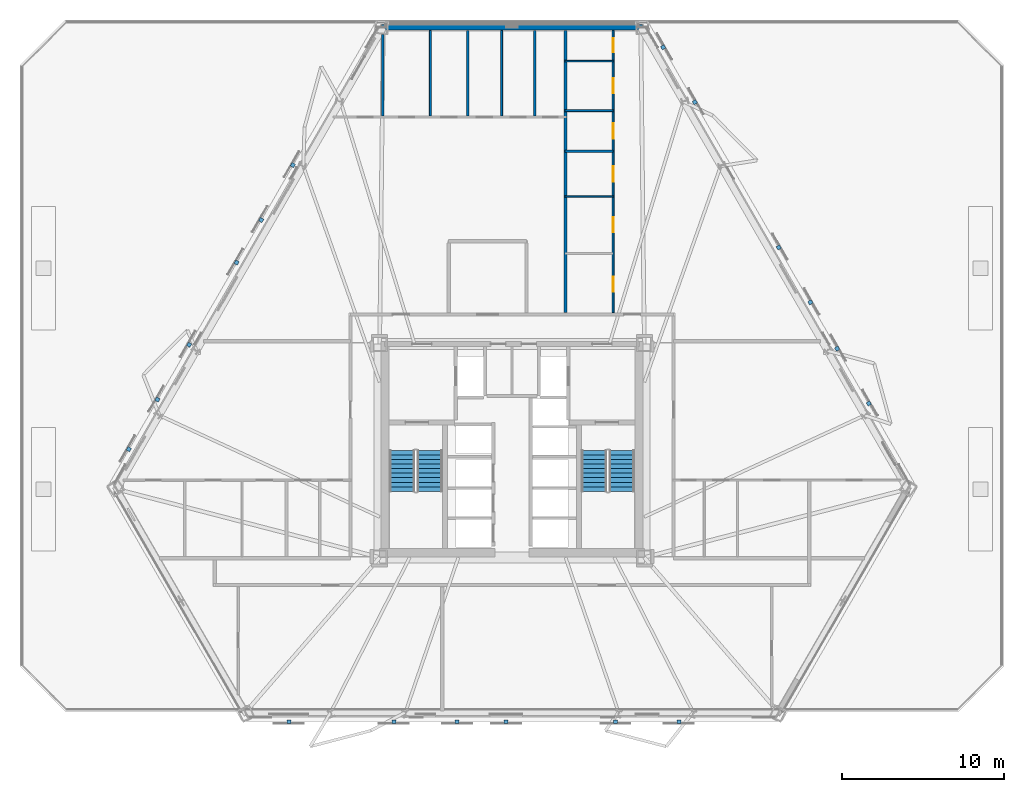
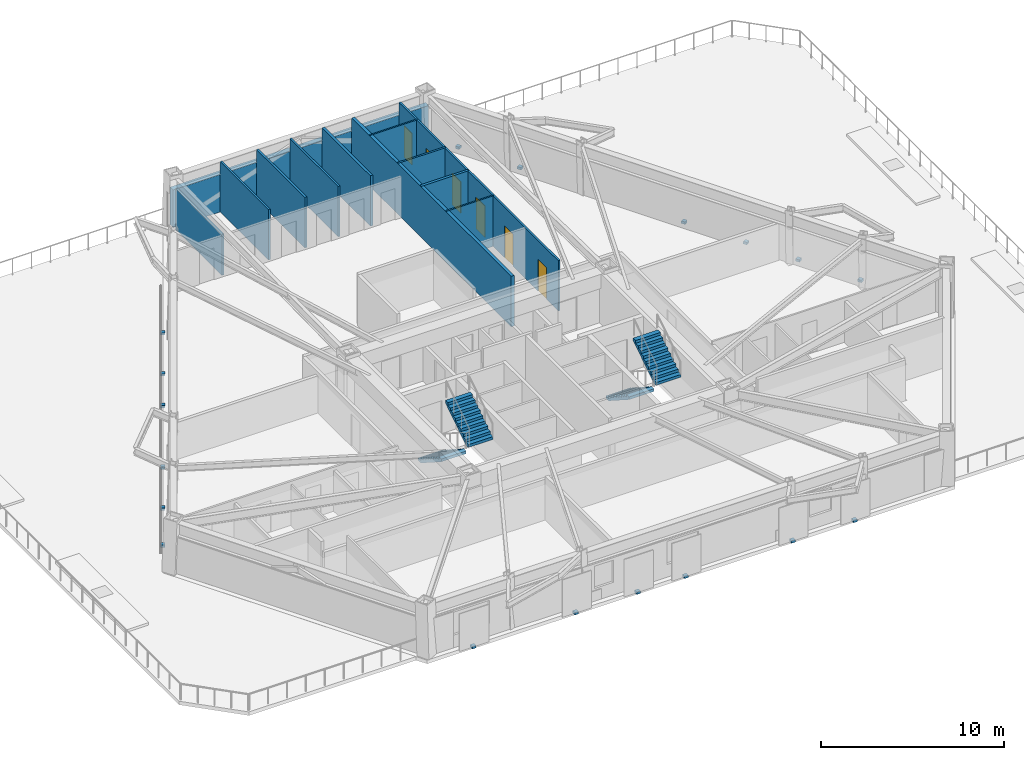
# One storey, part 6 of 14: 18 discrete accessories, 12 walls, 6 doors, 4 stair flights, 6 openings, 2 elements without a shape of their own.
"""IFC4 building model written with IfcOpenShell, lengths in metres."""

from ifc_helpers import new_model, si_unit, direction, frame, frame_2d, origin, origin_2d, place, context, subcontext, project, spatial, polyline, rectangle, outline, extrude, material, layer, layer_set, type_object, element, fill, aggregate, save


model = new_model("IFC4")

# Units and contexts
model_context = context("Model", 3, precision=1e-05, world=origin(), true_north=direction((0.0, 1.0)))
body_context = subcontext(model_context, "Body", "Model", "MODEL_VIEW")
ifc_project = project(units=[si_unit("LENGTHUNIT", "METRE"), si_unit("AREAUNIT", "SQUARE_METRE"), si_unit("VOLUMEUNIT", "CUBIC_METRE"), si_unit("PLANEANGLEUNIT", "RADIAN"), si_unit("MASSUNIT", "GRAM", prefix="KILO")], contexts=[model_context])

# Site, building, storey
site_placement = place(None, origin())
site = spatial("IfcSite", under=ifc_project, at=site_placement, CompositionType="ELEMENT")
building_placement = place(site_placement, origin())
building = spatial("IfcBuilding", under=site, at=building_placement, Name="Oramaril Tower", CompositionType="ELEMENT")
storey_placement = place(building_placement, frame((0.0, 0.0, 27.300048828125)))
storey = spatial("IfcBuildingStorey", under=building, at=storey_placement, Name="L06", CompositionType="ELEMENT", Elevation=27.300048828125)

# Walls
ifc_material_1 = material(Name="Warm Cream Limestone", Category="masonry")
ifc_layer_1 = layer(ifc_material_1, 0.340087890625)
ifc_layer_set_1 = layer_set([ifc_layer_1], Name="WT-EXT34")
wall_type_1 = type_object("IfcWallType", Name="WT-EXT34", PredefinedType="SOLIDWALL", material=ifc_layer_set_1)
wall_1_placement = place(storey_placement, frame((45.548095703125, 43.639892578125, 0.0), z_axis=(0.0, 0.0, 1.0), x_axis=(-1.0, 0.0, 0.0)))
element("IfcWall", 1, at=wall_1_placement, inside=storey, type_object=wall_type_1, Name="L06 Tower Limestone Facade Wall 5M", PredefinedType="SOLIDWALL", context=body_context, shape_type="SweptSolid", body=[
    extrude(rectangle(XDim=16.09619140625, YDim=0.340087890625, at=frame_2d((8.048095703125, 0.0))), origin(), (0.0, 0.0, 1.0), 2.493896484375),
])
ifc_material_2 = material(Name="Acoustic Gypsum Board Partition")
ifc_layer_2 = layer(ifc_material_2, 0.10009765625)
ifc_layer_set_2 = layer_set([ifc_layer_2], Name="WT-PT10")
wall_type_2 = type_object("IfcWallType", Name="WT-PT10", PredefinedType="PARTITIONING", material=ifc_layer_set_2)
for number, where, z_axis, x_axis, name in (
    (2, (40.75, 33.239990234375, 0.0), (0.0, 0.0, 1.0), (1.0, 0.0, 0.0), "L06 Interior Partition PT-10"),
    (3, (40.75, 41.570068359375, 0.0), (0.0, 0.0, 1.0), (1.0, 0.0, 0.0), "L06 Interior Partition PT-10"),
):
    element("IfcWall", number, at=place(storey_placement, frame(where, z_axis=z_axis, x_axis=x_axis)), inside=storey, type_object=wall_type_2, Name=name, PredefinedType="PARTITIONING", context=body_context, shape_type="SweptSolid", body=[
        extrude(rectangle(XDim=2.97998046875, YDim=0.10009765625, at=frame_2d((1.489990234375, 0.0))), origin(), (0.0, 0.0, 1.0), 3.35986328125),
    ])
ifc_material_3 = material(Name="Acoustic Gypsum Board Partition")
ifc_layer_3 = layer(ifc_material_3, 0.1201171875)
ifc_layer_set_3 = layer_set([ifc_layer_3], Name="WT-PT12")
wall_type_3 = type_object("IfcWallType", Name="WT-PT12", PredefinedType="PARTITIONING", material=ifc_layer_set_3)
wall_2_placement = place(storey_placement, frame((40.75, 38.52001953125, 0.0), z_axis=(0.0, 0.0, 1.0), x_axis=(1.0, 0.0, 0.0)))
element("IfcWall", 4, at=wall_2_placement, inside=storey, type_object=wall_type_3, Name="L06 Interior Partition PT-12", PredefinedType="PARTITIONING", context=body_context, shape_type="SweptSolid", body=[
    extrude(rectangle(XDim=2.97998046875, YDim=0.1201171875, at=frame_2d((1.489990234375, 0.0))), origin(), (0.0, 0.0, 1.0), 3.35986328125),
])
for number, where, z_axis, x_axis, name in (
    (5, (32.469970703125, 38.194091796875, 0.0), (0.0, 0.0, 1.0), (0.0, 1.0, 0.0), "L06 Interior Partition PT-12"),
    (6, (36.860107421875, 38.194091796875, 0.0), (0.0, 0.0, 1.0), (0.0, 1.0, 0.0), "L06 Interior Partition PT-12"),
):
    element("IfcWall", number, at=place(storey_placement, frame(where, z_axis=z_axis, x_axis=x_axis)), inside=storey, type_object=wall_type_3, Name=name, PredefinedType="PARTITIONING", context=body_context, shape_type="SweptSolid", body=[
        extrude(rectangle(XDim=5.27197265625, YDim=0.1201171875, at=frame_2d((2.635986328125, 0.0))), origin(), (0.0, 0.0, 1.0), 3.35986328125),
    ])

# Wall, openings, doors
wall_3_placement = place(storey_placement, frame((43.72998046875, 26.073974609375, 0.0), z_axis=(0.0, 0.0, 1.0), x_axis=(0.0, 1.0, 0.0)))
wall_3 = element("IfcWall", 7, at=wall_3_placement, inside=storey, type_object=wall_type_3, Name="L06 Interior Partition PT-12", PredefinedType="PARTITIONING", context=body_context, shape_type="SweptSolid", body=[
    extrude(rectangle(XDim=17.39208984375, YDim=0.1201171875, at=frame_2d((8.696044921875, 0.0))), origin(), (0.0, 0.0, 1.0), 3.35986328125),
])
opening_1_placement = place(wall_3_placement, frame((1.293701171875, 0.0, 0.0)))
opening_1 = element("IfcOpeningElement", 8, at=opening_1_placement, cuts=wall_3, Name="Opening D-L06-23", PredefinedType="OPENING", context=body_context, shape_type="SweptSolid", body=[
    extrude(rectangle(XDim=0.919921875, YDim=2.1201171875, at=frame_2d((0.4599609375, 1.06005859375))), frame((0.0, 0.06005859375, 0.0), z_axis=(0.0, -1.0, 0.0), x_axis=(1.0, 0.0, 0.0)), (0.0, 0.0, 1.0), 0.1201171875),
])
opening_2_placement = place(wall_3_placement, frame((4.943359375, 0.0, 0.0)))
opening_2 = element("IfcOpeningElement", 9, at=opening_2_placement, cuts=wall_3, Name="Opening D-L06-24", PredefinedType="OPENING", context=body_context, shape_type="SweptSolid", body=[
    extrude(rectangle(XDim=0.919921875, YDim=2.1201171875, at=frame_2d((0.4599609375, 1.06005859375))), frame((0.0, 0.06005859375, 0.0), z_axis=(0.0, -1.0, 0.0), x_axis=(1.0, 0.0, 0.0)), (0.0, 0.0, 1.0), 0.1201171875),
])
opening_3_placement = place(wall_3_placement, frame((8.074462890625, 0.0, 0.0)))
opening_3 = element("IfcOpeningElement", 10, at=opening_3_placement, cuts=wall_3, Name="Opening D-L06-25", PredefinedType="OPENING", context=body_context, shape_type="SweptSolid", body=[
    extrude(rectangle(XDim=0.949951171875, YDim=2.10009765625, at=frame_2d((0.47509765625, 1.050048828125))), frame((0.0, 0.06005859375, 0.0), z_axis=(0.0, -1.0, 0.0), x_axis=(1.0, 0.0, 0.0)), (0.0, 0.0, 1.0), 0.1201171875),
])
opening_4_placement = place(wall_3_placement, frame((10.71728515625, 0.0, 0.0)))
opening_4 = element("IfcOpeningElement", 11, at=opening_4_placement, cuts=wall_3, Name="Opening D-L06-26", PredefinedType="OPENING", context=body_context, shape_type="SweptSolid", body=[
    extrude(rectangle(XDim=0.949951171875, YDim=2.10009765625, at=frame_2d((0.47509765625, 1.050048828125))), frame((0.0, 0.06005859375, 0.0), z_axis=(0.0, -1.0, 0.0), x_axis=(1.0, 0.0, 0.0)), (0.0, 0.0, 1.0), 0.1201171875),
])
opening_5_placement = place(wall_3_placement, frame((13.500732421875, 0.0, 0.0)))
opening_5 = element("IfcOpeningElement", 12, at=opening_5_placement, cuts=wall_3, Name="Opening D-L06-27", PredefinedType="OPENING", context=body_context, shape_type="SweptSolid", body=[
    extrude(rectangle(XDim=0.949951171875, YDim=2.10009765625, at=frame_2d((0.47509765625, 1.050048828125))), frame((0.0, 0.06005859375, 0.0), z_axis=(0.0, -1.0, 0.0), x_axis=(1.0, 0.0, 0.0)), (0.0, 0.0, 1.0), 0.1201171875),
])
opening_6_placement = place(wall_3_placement, frame((16.033447265625, 0.0, 0.0)))
opening_6 = element("IfcOpeningElement", 13, at=opening_6_placement, cuts=wall_3, Name="Opening D-L06-28", PredefinedType="OPENING", context=body_context, shape_type="SweptSolid", body=[
    extrude(rectangle(XDim=0.8798828125, YDim=2.080078125, at=frame_2d((0.43994140625, 1.0400390625))), frame((0.0, 0.06005859375, 0.0), z_axis=(0.0, -1.0, 0.0), x_axis=(1.0, 0.0, 0.0)), (0.0, 0.0, 1.0), 0.1201171875),
])
ifc_material_4 = material(Name="FSC Brazilian Freijo Hardwood", Category="wood")
door_type_1 = type_object("IfcDoorType", Name="DT-BATH", OperationType="NOTDEFINED", PredefinedType="DOOR", material=ifc_material_4)
door_1_placement = place(opening_6_placement, origin())
door_1 = element("IfcDoor", 14, at=door_1_placement, inside=storey, type_object=door_type_1, Name="L06 Flat L06-U6 Bathroom Door D-L06-28", OperationType="SINGLE_SWING_RIGHT", OverallHeight=2.080078125, OverallWidth=0.8798828125, PredefinedType="DOOR", context=body_context, shape_type="SweptSolid", body=[
    extrude(rectangle(XDim=0.8798828125, YDim=2.080078125, at=frame_2d((0.43994140625, 1.0400390625))), frame((0.0, 0.02490234375, 0.0), z_axis=(0.0, -1.0, 0.0), x_axis=(1.0, 0.0, 0.0)), (0.0, 0.0, 1.0), 0.050048828125),
])
fill(opening_6, door_1)
ifc_material_5 = material(Name="FSC Brazilian Freijo Hardwood", Category="wood")
door_type_2 = type_object("IfcDoorType", Name="DT-BED", OperationType="NOTDEFINED", PredefinedType="DOOR", material=ifc_material_5)
door_2_placement = place(opening_1_placement, origin())
door_2 = element("IfcDoor", 15, at=door_2_placement, inside=storey, type_object=door_type_2, Name="L06 Flat L06-U6 Master Bedroom Door D-L06-23", OperationType="SINGLE_SWING_LEFT", OverallHeight=2.1201171875, OverallWidth=0.919921875, PredefinedType="DOOR", context=body_context, shape_type="SweptSolid", body=[
    extrude(rectangle(XDim=0.919921875, YDim=2.1201171875, at=frame_2d((0.4599609375, 1.06005859375))), frame((0.0, 0.02490234375, 0.0), z_axis=(0.0, -1.0, 0.0), x_axis=(1.0, 0.0, 0.0)), (0.0, 0.0, 1.0), 0.050048828125),
])
fill(opening_1, door_2)
door_3_placement = place(opening_2_placement, origin())
door_3 = element("IfcDoor", 16, at=door_3_placement, inside=storey, type_object=door_type_2, Name="L06 Flat L06-U6 Bedroom 2 Door D-L06-24", OperationType="SINGLE_SWING_RIGHT", OverallHeight=2.1201171875, OverallWidth=0.919921875, PredefinedType="DOOR", context=body_context, shape_type="SweptSolid", body=[
    extrude(rectangle(XDim=0.919921875, YDim=2.1201171875, at=frame_2d((0.4599609375, 1.06005859375))), frame((0.0, 0.02490234375, 0.0), z_axis=(0.0, -1.0, 0.0), x_axis=(1.0, 0.0, 0.0)), (0.0, 0.0, 1.0), 0.050048828125),
])
fill(opening_2, door_3)
ifc_material_6 = material(Name="FSC Brazilian Freijo Hardwood", Category="wood")
door_type_3 = type_object("IfcDoorType", Name="DT-STDY", OperationType="NOTDEFINED", PredefinedType="DOOR", material=ifc_material_6)
door_4_placement = place(opening_3_placement, origin())
door_4 = element("IfcDoor", 17, at=door_4_placement, inside=storey, type_object=door_type_3, Name="L06 Flat L06-U6 Reading Study Door D-L06-25", OperationType="SINGLE_SWING_LEFT", OverallHeight=2.10009765625, OverallWidth=0.949951171875, PredefinedType="DOOR", context=body_context, shape_type="SweptSolid", body=[
    extrude(rectangle(XDim=0.949951171875, YDim=2.10009765625, at=frame_2d((0.47509765625, 1.050048828125))), frame((0.0, 0.02490234375, 0.0), z_axis=(0.0, -1.0, 0.0), x_axis=(1.0, 0.0, 0.0)), (0.0, 0.0, 1.0), 0.050048828125),
])
fill(opening_3, door_4)
door_5_placement = place(opening_4_placement, origin())
door_5 = element("IfcDoor", 18, at=door_5_placement, inside=storey, type_object=door_type_3, Name="L06 Flat L06-U6 Private Dining Room Door D-L06-26", OperationType="SINGLE_SWING_RIGHT", OverallHeight=2.10009765625, OverallWidth=0.949951171875, PredefinedType="DOOR", context=body_context, shape_type="SweptSolid", body=[
    extrude(rectangle(XDim=0.949951171875, YDim=2.10009765625, at=frame_2d((0.47509765625, 1.050048828125))), frame((0.0, 0.02490234375, 0.0), z_axis=(0.0, -1.0, 0.0), x_axis=(1.0, 0.0, 0.0)), (0.0, 0.0, 1.0), 0.050048828125),
])
fill(opening_4, door_5)
door_6_placement = place(opening_5_placement, origin())
door_6 = element("IfcDoor", 19, at=door_6_placement, inside=storey, type_object=door_type_3, Name="L06 Flat L06-U6 Kitchen Door D-L06-27", OperationType="SINGLE_SWING_LEFT", OverallHeight=2.10009765625, OverallWidth=0.949951171875, PredefinedType="DOOR", context=body_context, shape_type="SweptSolid", body=[
    extrude(rectangle(XDim=0.949951171875, YDim=2.10009765625, at=frame_2d((0.47509765625, 1.050048828125))), frame((0.0, 0.02490234375, 0.0), z_axis=(0.0, -1.0, 0.0), x_axis=(1.0, 0.0, 0.0)), (0.0, 0.0, 1.0), 0.050048828125),
])
fill(opening_5, door_6)

# Walls
ifc_material_7 = material(Name="Acoustic Gypsum Board Partition")
ifc_layer_4 = layer(ifc_material_7, 0.139892578125)
ifc_layer_set_4 = layer_set([ifc_layer_4], Name="WT-PT14")
wall_type_4 = type_object("IfcWallType", Name="WT-PT14", PredefinedType="PARTITIONING", material=ifc_layer_set_4)
wall_4_placement = place(storey_placement, frame((29.5400390625, 38.194091796875, 0.0), z_axis=(0.0, 0.0, 1.0), x_axis=(0.0, 1.0, 0.0)))
element("IfcWall", 20, at=wall_4_placement, inside=storey, type_object=wall_type_4, Name="L06 Interior Partition PT-14", PredefinedType="PARTITIONING", context=body_context, shape_type="SweptSolid", body=[
    extrude(rectangle(XDim=5.026123046875, YDim=0.139892578125, at=frame_2d((2.51318359375, 0.0))), origin(), (0.0, 0.0, 1.0), 2.738037109375),
])
wall_5_placement = place(storey_placement, frame((34.77001953125, 38.194091796875, 0.0), z_axis=(0.0, 0.0, 1.0), x_axis=(0.0, 1.0, 0.0)))
element("IfcWall", 21, at=wall_5_placement, inside=storey, type_object=wall_type_4, Name="L06 Interior Partition PT-14", PredefinedType="PARTITIONING", context=body_context, shape_type="SweptSolid", body=[
    extrude(rectangle(XDim=5.27197265625, YDim=0.139892578125, at=frame_2d((2.635986328125, 0.0))), origin(), (0.0, 0.0, 1.0), 3.35986328125),
])
ifc_material_8 = material(Name="Acoustic Gypsum Board Partition")
ifc_layer_5 = layer(ifc_material_8, 0.159912109375)
ifc_layer_set_5 = layer_set([ifc_layer_5], Name="WT-PT16")
wall_type_5 = type_object("IfcWallType", Name="WT-PT16", PredefinedType="PARTITIONING", material=ifc_layer_set_5)
wall_6_placement = place(storey_placement, frame((40.75, 36.010009765625, 0.0), z_axis=(0.0, 0.0, 1.0), x_axis=(1.0, 0.0, 0.0)))
element("IfcWall", 22, at=wall_6_placement, inside=storey, type_object=wall_type_5, Name="L06 Interior Partition PT-16", PredefinedType="PARTITIONING", context=body_context, shape_type="SweptSolid", body=[
    extrude(rectangle(XDim=2.97998046875, YDim=0.159912109375, at=frame_2d((1.489990234375, 0.0))), origin(), (0.0, 0.0, 1.0), 3.35986328125),
])
wall_7_placement = place(storey_placement, frame((38.909912109375, 38.194091796875, 0.0), z_axis=(0.0, 0.0, 1.0), x_axis=(0.0, 1.0, 0.0)))
element("IfcWall", 23, at=wall_7_placement, inside=storey, type_object=wall_type_5, Name="L06 Interior Partition PT-16", PredefinedType="PARTITIONING", context=body_context, shape_type="SweptSolid", body=[
    extrude(rectangle(XDim=5.27197265625, YDim=0.159912109375, at=frame_2d((2.635986328125, 0.0))), origin(), (0.0, 0.0, 1.0), 3.35986328125),
])
ifc_material_9 = material(Name="Autoclaved Cellular Concrete Block", Category="concrete")
ifc_layer_6 = layer(ifc_material_9, 0.199951171875)
ifc_layer_set_6 = layer_set([ifc_layer_6], Name="WT-PT20")
wall_type_6 = type_object("IfcWallType", Name="WT-PT20", PredefinedType="PARTITIONING", material=ifc_layer_set_6)
wall_8_placement = place(storey_placement, frame((40.800048828125, 26.073974609375, 0.0), z_axis=(0.0, 0.0, 1.0), x_axis=(0.0, 1.0, 0.0)))
element("IfcWall", 24, at=wall_8_placement, inside=storey, type_object=wall_type_6, Name="L06 Interior Partition PT-20", PredefinedType="PARTITIONING", context=body_context, shape_type="SweptSolid", body=[
    extrude(rectangle(XDim=17.39208984375, YDim=0.199951171875, at=frame_2d((8.696044921875, 0.0))), origin(), (0.0, 0.0, 1.0), 3.35986328125),
])

# Stair, stair flights
ifc_material_10 = material(Name="Concrete C50/60", Category="concrete")
stair_type = type_object("IfcStairType", Name="STT-DG-3600", PredefinedType="HALF_TURN_STAIR", material=ifc_material_10)
stair_1_placement = place(storey_placement, origin())
stair_1 = element("IfcStair", 25, at=stair_1_placement, inside=storey, type_object=stair_type, Name="L06 Protected PFP Exit Stair ST-1", PredefinedType="HALF_TURN_STAIR")
ifc_material_11 = material(Name="Concrete C50/60", Category="concrete")
stair_flight_type = type_object("IfcStairFlightType", Name="SFT-DG-3600", PredefinedType="STRAIGHT", material=ifc_material_11)
stair_flight_1_placement = place(storey_placement, frame((30.72998046875, 17.590087890625, 0.0), z_axis=(0.0, 0.0, 1.0), x_axis=(0.0, -1.0, 0.0)))
stair_flight_1 = element("IfcStairFlight", 26, at=stair_flight_1_placement, type_object=stair_flight_type, Name="ST-1 flight 1", NumberOfRisers=10, NumberOfTreads=9, PredefinedType="STRAIGHT", RiserHeight=0.18, TreadLength=0.28, context=body_context, shape_type="SweptSolid", body=[
    extrude(outline(polyline([(0.0, 0.0), (0.0, 0.179931640625), (0.280029296875, 0.179931640625), (0.280029296875, 0.360107421875), (0.56005859375, 0.360107421875), (0.56005859375, 0.5400390625), (0.840087890625, 0.5400390625), (0.840087890625, 0.719970703125), (1.1201171875, 0.719970703125), (1.1201171875, 0.89990234375), (1.39990234375, 0.89990234375), (1.39990234375, 1.080078125), (1.679931640625, 1.080078125), (1.679931640625, 1.260009765625), (1.9599609375, 1.260009765625), (1.9599609375, 1.43994140625), (2.239990234375, 1.43994140625), (2.239990234375, 1.6201171875), (2.52001953125, 1.6201171875), (2.52001953125, 1.800048828125), (2.52001953125, 1.44189453125), (0.277099609375, 0.0), (0.0, 0.0)])), frame((0.0, 0.780029296875, 0.0), z_axis=(0.0, -1.0, 0.0), x_axis=(1.0, 0.0, 0.0)), (0.0, 0.0, 1.0), 1.56005859375),
])
stair_flight_2_placement = place(storey_placement, frame((32.43994140625, 15.070068359375, 1.800048828125), z_axis=(0.0, 0.0, 1.0), x_axis=(0.0, 1.0, 0.0)))
stair_flight_2 = element("IfcStairFlight", 27, at=stair_flight_2_placement, type_object=stair_flight_type, Name="ST-1 flight 2", NumberOfRisers=10, NumberOfTreads=9, PredefinedType="STRAIGHT", RiserHeight=0.18, TreadLength=0.28, context=body_context, shape_type="SweptSolid", body=[
    extrude(outline(polyline([(0.0, 0.0), (0.0, 0.179931640625), (0.280029296875, 0.179931640625), (0.280029296875, 0.360107421875), (0.56005859375, 0.360107421875), (0.56005859375, 0.5400390625), (0.840087890625, 0.5400390625), (0.840087890625, 0.719970703125), (1.1201171875, 0.719970703125), (1.1201171875, 0.89990234375), (1.39990234375, 0.89990234375), (1.39990234375, 1.080078125), (1.679931640625, 1.080078125), (1.679931640625, 1.260009765625), (1.9599609375, 1.260009765625), (1.9599609375, 1.43994140625), (2.239990234375, 1.43994140625), (2.239990234375, 1.6201171875), (2.52001953125, 1.6201171875), (2.52001953125, 1.800048828125), (2.52001953125, 1.44189453125), (0.277099609375, 0.0), (0.0, 0.0)])), frame((0.0, 0.780029296875, 0.0), z_axis=(0.0, -1.0, 0.0), x_axis=(1.0, 0.0, 0.0)), (0.0, 0.0, 1.0), 1.56005859375),
])
aggregate(stair_1, [stair_flight_1, stair_flight_2])

stair_2_placement = place(storey_placement, origin())
stair_2 = element("IfcStair", 28, at=stair_2_placement, inside=storey, type_object=stair_type, Name="L06 Protected PFP Exit Stair ST-2", PredefinedType="HALF_TURN_STAIR")
stair_flight_3_placement = place(storey_placement, frame((42.56005859375, 17.590087890625, 0.0), z_axis=(0.0, 0.0, 1.0), x_axis=(0.0, -1.0, 0.0)))
stair_flight_3 = element("IfcStairFlight", 29, at=stair_flight_3_placement, type_object=stair_flight_type, Name="ST-2 flight 1", NumberOfRisers=10, NumberOfTreads=9, PredefinedType="STRAIGHT", RiserHeight=0.18, TreadLength=0.28, context=body_context, shape_type="SweptSolid", body=[
    extrude(outline(polyline([(0.0, 0.0), (0.0, 0.179931640625), (0.280029296875, 0.179931640625), (0.280029296875, 0.360107421875), (0.56005859375, 0.360107421875), (0.56005859375, 0.5400390625), (0.840087890625, 0.5400390625), (0.840087890625, 0.719970703125), (1.1201171875, 0.719970703125), (1.1201171875, 0.89990234375), (1.39990234375, 0.89990234375), (1.39990234375, 1.080078125), (1.679931640625, 1.080078125), (1.679931640625, 1.260009765625), (1.9599609375, 1.260009765625), (1.9599609375, 1.43994140625), (2.239990234375, 1.43994140625), (2.239990234375, 1.6201171875), (2.52001953125, 1.6201171875), (2.52001953125, 1.800048828125), (2.52001953125, 1.44189453125), (0.277099609375, 0.0), (0.0, 0.0)])), frame((0.0, 0.780029296875, 0.0), z_axis=(0.0, -1.0, 0.0), x_axis=(1.0, 0.0, 0.0)), (0.0, 0.0, 1.0), 1.56005859375),
])
stair_flight_4_placement = place(storey_placement, frame((44.27001953125, 15.070068359375, 1.800048828125), z_axis=(0.0, 0.0, 1.0), x_axis=(0.0, 1.0, 0.0)))
stair_flight_4 = element("IfcStairFlight", 30, at=stair_flight_4_placement, type_object=stair_flight_type, Name="ST-2 flight 2", NumberOfRisers=10, NumberOfTreads=9, PredefinedType="STRAIGHT", RiserHeight=0.18, TreadLength=0.28, context=body_context, shape_type="SweptSolid", body=[
    extrude(outline(polyline([(0.0, 0.0), (0.0, 0.179931640625), (0.280029296875, 0.179931640625), (0.280029296875, 0.360107421875), (0.56005859375, 0.360107421875), (0.56005859375, 0.5400390625), (0.840087890625, 0.5400390625), (0.840087890625, 0.719970703125), (1.1201171875, 0.719970703125), (1.1201171875, 0.89990234375), (1.39990234375, 0.89990234375), (1.39990234375, 1.080078125), (1.679931640625, 1.080078125), (1.679931640625, 1.260009765625), (1.9599609375, 1.260009765625), (1.9599609375, 1.43994140625), (2.239990234375, 1.43994140625), (2.239990234375, 1.6201171875), (2.52001953125, 1.6201171875), (2.52001953125, 1.800048828125), (2.52001953125, 1.44189453125), (0.277099609375, 0.0), (0.0, 0.0)])), frame((0.0, 0.780029296875, 0.0), z_axis=(0.0, -1.0, 0.0), x_axis=(1.0, 0.0, 0.0)), (0.0, 0.0, 1.0), 1.56005859375),
])
aggregate(stair_2, [stair_flight_3, stair_flight_4])

# Discrete accessories
for number, where, z_axis, x_axis, name in (
    (31, (23.75830078125, 0.8798828125, -0.14013671875), (0.0, 0.0, 1.0), (1.0, 0.0, 0.0), "L06 Solar Screen Slab Bracket"),
    (32, (30.223388671875, 0.8798828125, -0.14013671875), (0.0, 0.0, 1.0), (1.0, 0.0, 0.0), "L06 Solar Screen Slab Bracket"),
    (33, (34.123291015625, 0.8798828125, -0.14013671875), (0.0, 0.0, 1.0), (1.0, 0.0, 0.0), "L06 Solar Screen Slab Bracket"),
    (34, (37.138916015625, 0.8798828125, -0.14013671875), (0.0, 0.0, 1.0), (1.0, 0.0, 0.0), "L06 Solar Screen Slab Bracket"),
    (35, (43.87548828125, 0.8798828125, -0.14013671875), (0.0, 0.0, 1.0), (1.0, 0.0, 0.0), "L06 Solar Screen Slab Bracket"),
    (36, (47.775390625, 0.8798828125, -0.14013671875), (0.0, 0.0, 1.0), (1.0, 0.0, 0.0), "L06 Solar Screen Slab Bracket"),
    (37, (59.473876953125, 20.47998046875, -0.14013671875), (0.0, 0.0, 1.0), (-0.5, 0.866025403784, 0.0), "L06 Solar Screen Slab Bracket"),
    (38, (57.52392578125, 23.857421875, -0.14013671875), (0.0, 0.0, 1.0), (-0.5, 0.866025403784, 0.0), "L06 Solar Screen Slab Bracket"),
    (39, (55.87451171875, 26.71435546875, -0.14013671875), (0.0, 0.0, 1.0), (-0.5, 0.866025403784, 0.0), "L06 Solar Screen Slab Bracket"),
    (40, (53.924560546875, 30.091796875, -0.14013671875), (0.0, 0.0, 1.0), (-0.5, 0.866025403784, 0.0), "L06 Solar Screen Slab Bracket"),
    (41, (48.75732421875, 39.04150390625, -0.14013671875), (0.0, 0.0, 1.0), (-0.5, 0.866025403784, 0.0), "L06 Solar Screen Slab Bracket"),
    (42, (46.807373046875, 42.419189453125, -0.14013671875), (0.0, 0.0, 1.0), (-0.5, 0.866025403784, 0.0), "L06 Solar Screen Slab Bracket"),
    (43, (17.6162109375, 24.100341796875, -0.14013671875), (0.0, 0.0, 1.0), (-0.5, -0.866025403784, 0.0), "L06 Solar Screen Slab Bracket"),
    (44, (15.666259765625, 20.722900390625, -0.14013671875), (0.0, 0.0, 1.0), (-0.5, -0.866025403784, 0.0), "L06 Solar Screen Slab Bracket"),
    (45, (13.8994140625, 17.66259765625, -0.14013671875), (0.0, 0.0, 1.0), (-0.5, -0.866025403784, 0.0), "L06 Solar Screen Slab Bracket"),
    (46, (24.0029296875, 35.16259765625, -0.14013671875), (0.0, 0.0, 1.0), (-0.5, -0.866025403784, 0.0), "L06 Solar Screen Slab Bracket"),
    (47, (22.052978515625, 31.784912109375, -0.14013671875), (0.0, 0.0, 1.0), (-0.5, -0.866025403784, 0.0), "L06 Solar Screen Slab Bracket"),
    (48, (20.54052734375, 29.165283203125, -0.14013671875), (0.0, 0.0, 1.0), (-0.5, -0.866025403784, 0.0), "L06 Solar Screen Slab Bracket"),
):
    element("IfcDiscreteAccessory", number, at=place(storey_placement, frame(where, z_axis=z_axis, x_axis=x_axis)), inside=storey, Name=name, PredefinedType="BRACKET", context=body_context, shape_type="SweptSolid", body=[
        extrude(rectangle(XDim=0.239990234375, YDim=0.239990234375, at=origin_2d()), origin(), (0.0, 0.0, 1.0), 0.159912109375),
    ])

save(model, "model.ifc")
